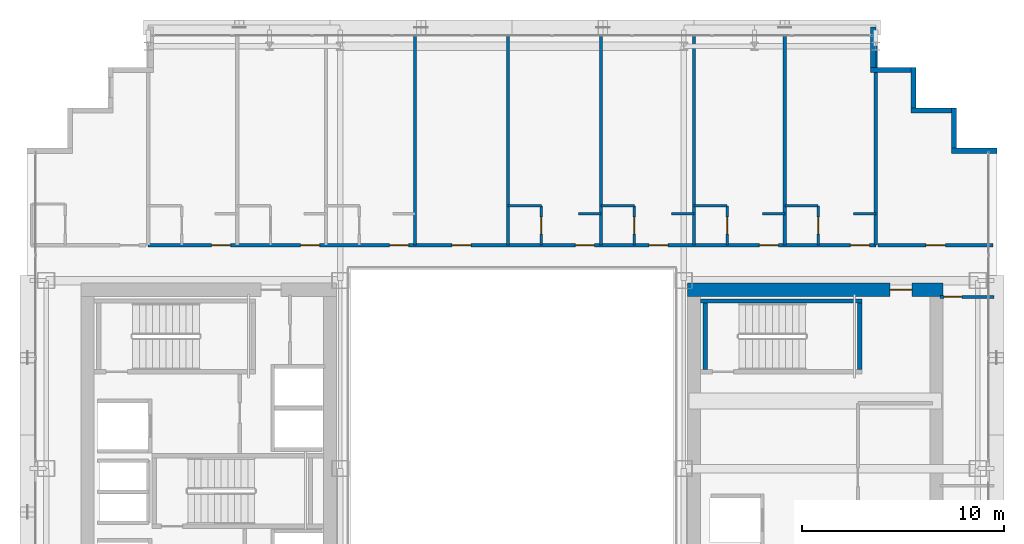
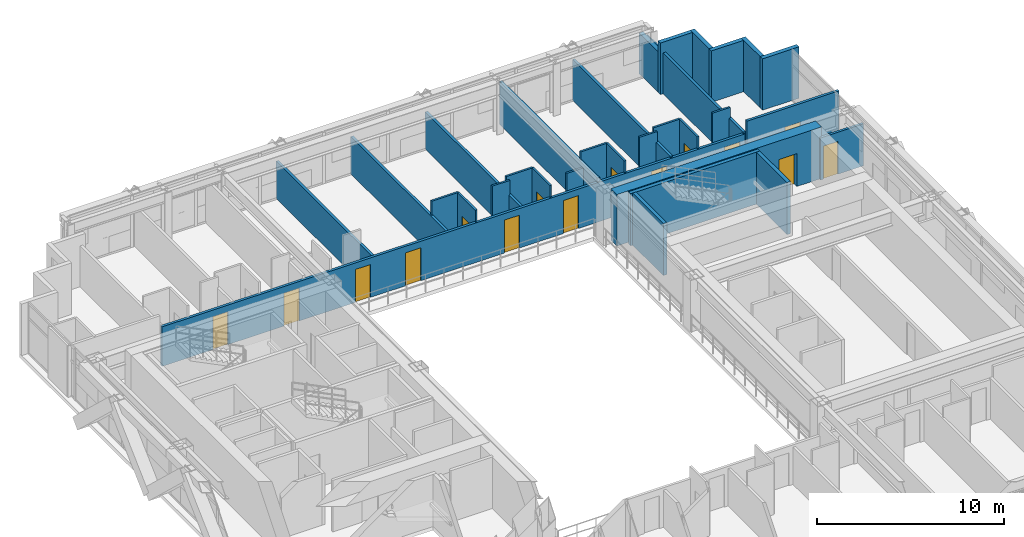
# One storey, part 31 of 36: 31 walls, 15 doors, 15 openings.
"""IFC4 building model written with IfcOpenShell, lengths in metres."""

from ifc_helpers import new_model, si_unit, direction, frame, frame_2d, origin, place, context, subcontext, project, spatial, rectangle, extrude, source, transform, mapped, material, layer, layer_set, type_object, element, fill, save


model = new_model("IFC4")

# Units and contexts
model_context = context("Model", 3, precision=1e-05, world=origin(), true_north=direction((0.0, 1.0)))
body_context = subcontext(model_context, "Body", "Model", "MODEL_VIEW")
ifc_project = project(units=[si_unit("LENGTHUNIT", "METRE"), si_unit("AREAUNIT", "SQUARE_METRE"), si_unit("VOLUMEUNIT", "CUBIC_METRE"), si_unit("PLANEANGLEUNIT", "RADIAN"), si_unit("MASSUNIT", "GRAM", prefix="KILO")], contexts=[model_context])

# Site, building, storey
site_placement = place(None, origin())
site = spatial("IfcSite", under=ifc_project, at=site_placement, CompositionType="ELEMENT")
building_placement = place(site_placement, origin())
building = spatial("IfcBuilding", under=site, at=building_placement, Name="Ocotamira Hotel", CompositionType="ELEMENT")
storey_placement = place(building_placement, frame((0.0, 0.0, 133.199951171875)))
storey = spatial("IfcBuildingStorey", under=building, at=storey_placement, Name="L33", CompositionType="ELEMENT", Elevation=133.199951171875)

# Wall, opening, door
ifc_material_1 = material(Name="Concrete C60/75", Category="concrete")
ifc_layer_1 = layer(ifc_material_1, 0.64990234375)
ifc_layer_set_1 = layer_set([ifc_layer_1], Name="Concrete C60/75")
wall_type_1 = type_object("IfcWallType", Name="WL-CORE-650", PredefinedType="SHEAR", material=ifc_layer_set_1)
wall_1_placement = place(storey_placement, frame((40.675048828125, 37.0, 0.0), z_axis=(0.0, 0.0, 1.0), x_axis=(1.0, 0.0, 0.0)))
wall_1 = element("IfcWall", 1, at=wall_1_placement, inside=storey, type_object=wall_type_1, Name="L33 Shear Core Wall ECORE-N", PredefinedType="SHEAR", context=body_context, shape_type="SweptSolid", body=[
    extrude(rectangle(XDim=12.64990234375, YDim=0.64990234375, at=frame_2d((6.324951171875, 0.0))), origin(), (0.0, 0.0, 1.0), 3.360107421875),
])
opening_1_placement = place(wall_1_placement, frame((10.02490234375, 0.0, 0.0)))
opening_1 = element("IfcOpeningElement", 2, at=opening_1_placement, cuts=wall_1, Name="Opening D-FR1", PredefinedType="OPENING", context=body_context, shape_type="SweptSolid", body=[
    extrude(rectangle(XDim=1.10009765625, YDim=2.14990234375, at=frame_2d((0.550048828125, 1.074951171875))), frame((0.0, 0.3349609375, 0.0), z_axis=(0.0, -1.0, 0.0), x_axis=(1.0, 0.0, 0.0)), (0.0, 0.0, 1.0), 0.669921875),
])
ifc_material_2 = material(Name="Fire-rated acoustic timber-veneer door", Category="wood")
door_type_1 = type_object("IfcDoorType", Name="DR-FIRE-1100", OperationType="NOTDEFINED", PredefinedType="DOOR", material=ifc_material_2)
shared_shape_1 = source(origin(), body_context, "Body", "SweptSolid", [
    extrude(rectangle(XDim=1.10009765625, YDim=2.14990234375, at=frame_2d((0.550048828125, 1.074951171875))), frame((0.0, 0.02490234375, 0.0), z_axis=(0.0, -1.0, 0.0), x_axis=(1.0, 0.0, 0.0)), (0.0, 0.0, 1.0), 0.050048828125),
])
door_1_placement = place(opening_1_placement, origin())
door_1 = element("IfcDoor", 3, at=door_1_placement, inside=storey, type_object=door_type_1, Name="L33 Door ID-L33-ELOB-N-D [ID-L33-ELOB-N-D]", OperationType="SINGLE_SWING_LEFT", OverallHeight=2.14990234375, OverallWidth=1.10009765625, PredefinedType="DOOR", context=body_context, shape_type="MappedRepresentation", body=[
    mapped(shared_shape_1, transform((0.0, 0.0, 0.0), scale=1.0)),
])
fill(opening_1, door_1)

# Walls
ifc_material_3 = material(Name="Precast concrete C45/55", Category="concrete")
ifc_layer_2 = layer(ifc_material_3, 0.25)
ifc_layer_set_2 = layer_set([ifc_layer_2], Name="Precast concrete C45/55")
wall_type_2 = type_object("IfcWallType", Name="WL-EXT-SER-250", PredefinedType="SOLIDWALL", material=ifc_layer_set_2)
wall_2_placement = place(storey_placement, frame((56.0, 43.875, 0.0), z_axis=(0.0, 0.0, 1.0), x_axis=(-1.0, 0.0, 0.0)))
element("IfcWall", 4, at=wall_2_placement, inside=storey, type_object=wall_type_2, Name="L33 Serrated Corner Wall 07", PredefinedType="SOLIDWALL", context=body_context, shape_type="SweptSolid", body=[
    extrude(rectangle(XDim=2.25, YDim=0.25, at=frame_2d((1.125, 0.0))), origin(), (0.0, 0.0, 1.0), 3.360107421875),
])
for number, where, z_axis, x_axis, name in (
    (5, (53.875, 44.0, 0.0), (0.0, 0.0, 1.0), (0.0, 1.0, 0.0), "L33 Serrated Corner Wall 08"),
    (6, (53.75, 45.875, 0.0), (0.0, 0.0, 1.0), (-1.0, 0.0, 0.0), "L33 Serrated Corner Wall 09"),
    (7, (51.875, 46.0, 0.0), (0.0, 0.0, 1.0), (0.0, 1.0, 0.0), "L33 Serrated Corner Wall 10"),
    (8, (51.75, 47.875, 0.0), (0.0, 0.0, 1.0), (-1.0, 0.0, 0.0), "L33 Serrated Corner Wall 11"),
):
    element("IfcWall", number, at=place(storey_placement, frame(where, z_axis=z_axis, x_axis=x_axis)), inside=storey, type_object=wall_type_2, Name=name, PredefinedType="SOLIDWALL", context=body_context, shape_type="SweptSolid", body=[
        extrude(rectangle(XDim=2.0, YDim=0.25, at=frame_2d((1.0, 0.0))), origin(), (0.0, 0.0, 1.0), 3.360107421875),
    ])
wall_3_placement = place(storey_placement, frame((49.875, 48.0, 0.0), z_axis=(0.0, 0.0, 1.0), x_axis=(0.0, 1.0, 0.0)))
element("IfcWall", 9, at=wall_3_placement, inside=storey, type_object=wall_type_2, Name="L33 Serrated Corner Wall 12", PredefinedType="SOLIDWALL", context=body_context, shape_type="SweptSolid", body=[
    extrude(rectangle(XDim=2.0, YDim=0.25, at=frame_2d((1.0, 0.0))), origin(), (0.0, 0.0, 1.0), 2.6669921875),
])

# Wall, opening, door
ifc_material_4 = material(Name="Acoustic double-layer fire gypsum board partition", Category="gypsum")
ifc_layer_3 = layer(ifc_material_4, 0.159912109375)
ifc_layer_set_3 = layer_set([ifc_layer_3], Name="Acoustic double-layer fire gypsum board partition")
wall_type_3 = type_object("IfcWallType", Name="WL-FIRE-160", PredefinedType="PARTITIONING", material=ifc_layer_set_3)
wall_4_placement = place(storey_placement, frame((50.1201171875, 39.199951171875, 0.0), z_axis=(0.0, 0.0, 1.0), x_axis=(1.0, 0.0, 0.0)))
wall_4 = element("IfcWall", 10, at=wall_4_placement, inside=storey, type_object=wall_type_3, Name="L33 Interior Wall PW-L33-Z2D-CNE-CW", PredefinedType="PARTITIONING", context=body_context, shape_type="SweptSolid", body=[
    extrude(rectangle(XDim=5.679931640625, YDim=0.159912109375, at=frame_2d((2.83984375, 0.0))), origin(), (0.0, 0.0, 1.0), 3.360107421875),
])
opening_2_placement = place(wall_4_placement, frame((2.360107421875, 0.0, 0.0)))
opening_2 = element("IfcOpeningElement", 11, at=opening_2_placement, cuts=wall_4, Name="Opening D-SV4", PredefinedType="OPENING", context=body_context, shape_type="SweptSolid", body=[
    extrude(rectangle(XDim=0.9599609375, YDim=2.14990234375, at=frame_2d((0.47998046875, 1.074951171875))), frame((0.0, 0.08984375, 0.0), z_axis=(0.0, -1.0, 0.0), x_axis=(1.0, 0.0, 0.0)), (0.0, 0.0, 1.0), 0.179931640625),
])
ifc_material_5 = material(Name="Fire-rated accessible walnut salon door", Category="wood")
door_type_2 = type_object("IfcDoorType", Name="DR-SERV-960", OperationType="NOTDEFINED", PredefinedType="DOOR", material=ifc_material_5)
shared_shape_2 = source(origin(), body_context, "Body", "SweptSolid", [
    extrude(rectangle(XDim=0.9599609375, YDim=2.14990234375, at=frame_2d((0.47998046875, 1.074951171875))), frame((0.0, 0.02490234375, 0.0), z_axis=(0.0, -1.0, 0.0), x_axis=(1.0, 0.0, 0.0)), (0.0, 0.0, 1.0), 0.050048828125),
])
door_2_placement = place(opening_2_placement, origin())
door_2 = element("IfcDoor", 12, at=door_2_placement, inside=storey, type_object=door_type_2, Name="L33 Door ID-L33-Z2D-CNE-CD [ID-L33-Z2D-CNE-CD]", OperationType="SINGLE_SWING_LEFT", OverallHeight=2.14990234375, OverallWidth=0.9599609375, PredefinedType="DOOR", context=body_context, shape_type="MappedRepresentation", body=[
    mapped(shared_shape_2, transform((0.0, 0.0, 0.0), scale=1.0)),
])
fill(opening_2, door_2)

# Wall, openings, doors
wall_5_placement = place(storey_placement, frame((14.0, 39.199951171875, 0.0), z_axis=(0.0, 0.0, 1.0), x_axis=(1.0, 0.0, 0.0)))
wall_5 = element("IfcWall", 13, at=wall_5_placement, inside=storey, type_object=wall_type_3, Name="L33 Interior Wall PW-L33-Z2DN-CORRW", PredefinedType="PARTITIONING", context=body_context, shape_type="SweptSolid", body=[
    extrude(rectangle(XDim=36.0, YDim=0.159912109375, at=frame_2d((18.0, 0.0))), origin(), (0.0, 0.0, 1.0), 2.5810546875),
])
opening_3_placement = place(wall_5_placement, frame((3.139892578125, 0.0, 0.0)))
opening_3 = element("IfcOpeningElement", 14, at=opening_3_placement, cuts=wall_5, Name="Opening D-GR1", PredefinedType="OPENING", context=body_context, shape_type="SweptSolid", body=[
    extrude(rectangle(XDim=0.93994140625, YDim=2.14990234375, at=frame_2d((0.469970703125, 1.074951171875))), frame((0.0, 0.08984375, 0.0), z_axis=(0.0, -1.0, 0.0), x_axis=(1.0, 0.0, 0.0)), (0.0, 0.0, 1.0), 0.179931640625),
])
opening_4_placement = place(wall_5_placement, frame((7.5400390625, 0.0, 0.0)))
opening_4 = element("IfcOpeningElement", 15, at=opening_4_placement, cuts=wall_5, Name="Opening D-GR1", PredefinedType="OPENING", context=body_context, shape_type="SweptSolid", body=[
    extrude(rectangle(XDim=0.93994140625, YDim=2.14990234375, at=frame_2d((0.469970703125, 1.074951171875))), frame((0.0, 0.08984375, 0.0), z_axis=(0.0, -1.0, 0.0), x_axis=(1.0, 0.0, 0.0)), (0.0, 0.0, 1.0), 0.179931640625),
])
opening_5_placement = place(wall_5_placement, frame((11.93994140625, 0.0, 0.0)))
opening_5 = element("IfcOpeningElement", 16, at=opening_5_placement, cuts=wall_5, Name="Opening D-GR1", PredefinedType="OPENING", context=body_context, shape_type="SweptSolid", body=[
    extrude(rectangle(XDim=0.93994140625, YDim=2.14990234375, at=frame_2d((0.469970703125, 1.074951171875))), frame((0.0, 0.08984375, 0.0), z_axis=(0.0, -1.0, 0.0), x_axis=(1.0, 0.0, 0.0)), (0.0, 0.0, 1.0), 0.179931640625),
])
opening_6_placement = place(wall_5_placement, frame((15.02001953125, 0.0, 0.0)))
opening_6 = element("IfcOpeningElement", 17, at=opening_6_placement, cuts=wall_5, Name="Opening D-SV4", PredefinedType="OPENING", context=body_context, shape_type="SweptSolid", body=[
    extrude(rectangle(XDim=0.9599609375, YDim=2.14990234375, at=frame_2d((0.47998046875, 1.074951171875))), frame((0.0, 0.08984375, 0.0), z_axis=(0.0, -1.0, 0.0), x_axis=(1.0, 0.0, 0.0)), (0.0, 0.0, 1.0), 0.179931640625),
])
opening_7_placement = place(wall_5_placement, frame((21.139892578125, 0.0, 0.0)))
opening_7 = element("IfcOpeningElement", 18, at=opening_7_placement, cuts=wall_5, Name="Opening D-GR1", PredefinedType="OPENING", context=body_context, shape_type="SweptSolid", body=[
    extrude(rectangle(XDim=0.93994140625, YDim=2.14990234375, at=frame_2d((0.469970703125, 1.074951171875))), frame((0.0, 0.08984375, 0.0), z_axis=(0.0, -1.0, 0.0), x_axis=(1.0, 0.0, 0.0)), (0.0, 0.0, 1.0), 0.179931640625),
])
opening_8_placement = place(wall_5_placement, frame((24.7900390625, 0.0, 0.0)))
opening_8 = element("IfcOpeningElement", 19, at=opening_8_placement, cuts=wall_5, Name="Opening D-GR1", PredefinedType="OPENING", context=body_context, shape_type="SweptSolid", body=[
    extrude(rectangle(XDim=0.93994140625, YDim=2.14990234375, at=frame_2d((0.469970703125, 1.074951171875))), frame((0.0, 0.08984375, 0.0), z_axis=(0.0, -1.0, 0.0), x_axis=(1.0, 0.0, 0.0)), (0.0, 0.0, 1.0), 0.179931640625),
])
opening_9_placement = place(wall_5_placement, frame((30.239990234375, 0.0, 0.0)))
opening_9 = element("IfcOpeningElement", 20, at=opening_9_placement, cuts=wall_5, Name="Opening D-GR1", PredefinedType="OPENING", context=body_context, shape_type="SweptSolid", body=[
    extrude(rectangle(XDim=0.93994140625, YDim=2.14990234375, at=frame_2d((0.469970703125, 1.074951171875))), frame((0.0, 0.08984375, 0.0), z_axis=(0.0, -1.0, 0.0), x_axis=(1.0, 0.0, 0.0)), (0.0, 0.0, 1.0), 0.179931640625),
])
opening_10_placement = place(wall_5_placement, frame((34.739990234375, 0.0, 0.0)))
opening_10 = element("IfcOpeningElement", 21, at=opening_10_placement, cuts=wall_5, Name="Opening D-GR1", PredefinedType="OPENING", context=body_context, shape_type="SweptSolid", body=[
    extrude(rectangle(XDim=0.93994140625, YDim=2.14990234375, at=frame_2d((0.469970703125, 1.074951171875))), frame((0.0, 0.08984375, 0.0), z_axis=(0.0, -1.0, 0.0), x_axis=(1.0, 0.0, 0.0)), (0.0, 0.0, 1.0), 0.179931640625),
])
door_3_placement = place(opening_6_placement, origin())
door_3 = element("IfcDoor", 22, at=door_3_placement, inside=storey, type_object=door_type_2, Name="L33 Door ID-L33-Z2DN-AMD4 [ID-L33-Z2DN-AMD4]", OperationType="SINGLE_SWING_RIGHT", OverallHeight=2.14990234375, OverallWidth=0.9599609375, PredefinedType="DOOR", context=body_context, shape_type="MappedRepresentation", body=[
    mapped(shared_shape_2, transform((0.0, 0.0, 0.0), scale=1.0)),
])
fill(opening_6, door_3)
ifc_material_6 = material(Name="Solid-core walnut suite entrance fire door", Category="wood")
door_type_3 = type_object("IfcDoorType", Name="DR-GUEST-940", OperationType="NOTDEFINED", PredefinedType="DOOR", material=ifc_material_6)
shared_shape_3 = source(origin(), body_context, "Body", "SweptSolid", [
    extrude(rectangle(XDim=0.93994140625, YDim=2.14990234375, at=frame_2d((0.469970703125, 1.074951171875))), frame((0.0, 0.02490234375, 0.0), z_axis=(0.0, -1.0, 0.0), x_axis=(1.0, 0.0, 0.0)), (0.0, 0.0, 1.0), 0.050048828125),
])
door_4_placement = place(opening_3_placement, origin())
door_4 = element("IfcDoor", 23, at=door_4_placement, inside=storey, type_object=door_type_3, Name="L33 Door ID-L33-Z2DN-RMD1 [ID-L33-Z2DN-RMD1]", OperationType="SINGLE_SWING_LEFT", OverallHeight=2.14990234375, OverallWidth=0.93994140625, PredefinedType="DOOR", context=body_context, shape_type="MappedRepresentation", body=[
    mapped(shared_shape_3, transform((0.0, 0.0, 0.0), scale=1.0)),
])
fill(opening_3, door_4)
door_5_placement = place(opening_4_placement, origin())
door_5 = element("IfcDoor", 24, at=door_5_placement, inside=storey, type_object=door_type_3, Name="L33 Door ID-L33-Z2DN-RMD2 [ID-L33-Z2DN-RMD2]", OperationType="SINGLE_SWING_RIGHT", OverallHeight=2.14990234375, OverallWidth=0.93994140625, PredefinedType="DOOR", context=body_context, shape_type="MappedRepresentation", body=[
    mapped(shared_shape_3, transform((0.0, 0.0, 0.0), scale=1.0)),
])
fill(opening_4, door_5)
door_6_placement = place(opening_5_placement, origin())
door_6 = element("IfcDoor", 25, at=door_6_placement, inside=storey, type_object=door_type_3, Name="L33 Door ID-L33-Z2DN-RMD3 [ID-L33-Z2DN-RMD3]", OperationType="SINGLE_SWING_LEFT", OverallHeight=2.14990234375, OverallWidth=0.93994140625, PredefinedType="DOOR", context=body_context, shape_type="MappedRepresentation", body=[
    mapped(shared_shape_3, transform((0.0, 0.0, 0.0), scale=1.0)),
])
fill(opening_5, door_6)
door_7_placement = place(opening_7_placement, origin())
door_7 = element("IfcDoor", 26, at=door_7_placement, inside=storey, type_object=door_type_3, Name="L33 Door ID-L33-Z2DN-RMD5 [ID-L33-Z2DN-RMD5]", OperationType="SINGLE_SWING_LEFT", OverallHeight=2.14990234375, OverallWidth=0.93994140625, PredefinedType="DOOR", context=body_context, shape_type="MappedRepresentation", body=[
    mapped(shared_shape_3, transform((0.0, 0.0, 0.0), scale=1.0)),
])
fill(opening_7, door_7)
door_8_placement = place(opening_8_placement, origin())
door_8 = element("IfcDoor", 27, at=door_8_placement, inside=storey, type_object=door_type_3, Name="L33 Door ID-L33-Z2DN-RMD6 [ID-L33-Z2DN-RMD6]", OperationType="SINGLE_SWING_RIGHT", OverallHeight=2.14990234375, OverallWidth=0.93994140625, PredefinedType="DOOR", context=body_context, shape_type="MappedRepresentation", body=[
    mapped(shared_shape_3, transform((0.0, 0.0, 0.0), scale=1.0)),
])
fill(opening_8, door_8)
door_9_placement = place(opening_9_placement, origin())
door_9 = element("IfcDoor", 28, at=door_9_placement, inside=storey, type_object=door_type_3, Name="L33 Door ID-L33-Z2DN-RMD7 [ID-L33-Z2DN-RMD7]", OperationType="SINGLE_SWING_LEFT", OverallHeight=2.14990234375, OverallWidth=0.93994140625, PredefinedType="DOOR", context=body_context, shape_type="MappedRepresentation", body=[
    mapped(shared_shape_3, transform((0.0, 0.0, 0.0), scale=1.0)),
])
fill(opening_9, door_9)
door_10_placement = place(opening_10_placement, origin())
door_10 = element("IfcDoor", 29, at=door_10_placement, inside=storey, type_object=door_type_3, Name="L33 Door ID-L33-Z2DN-RMD8 [ID-L33-Z2DN-RMD8]", OperationType="SINGLE_SWING_RIGHT", OverallHeight=2.14990234375, OverallWidth=0.93994140625, PredefinedType="DOOR", context=body_context, shape_type="MappedRepresentation", body=[
    mapped(shared_shape_3, transform((0.0, 0.0, 0.0), scale=1.0)),
])
fill(opening_10, door_10)

# Wall, opening, door
ifc_material_7 = material(Name="Moisture-resistant en-suite tile and gypsum partition", Category="gypsum")
ifc_layer_4 = layer(ifc_material_7, 0.1201171875)
ifc_layer_set_4 = layer_set([ifc_layer_4], Name="Moisture-resistant en-suite tile and gypsum partition")
wall_type_4 = type_object("IfcWallType", Name="WL-PART-120", PredefinedType="PARTITIONING", material=ifc_layer_set_4)
wall_6_placement = place(storey_placement, frame((33.449951171875, 39.199951171875, 0.0), z_axis=(0.0, 0.0, 1.0), x_axis=(0.0, 1.0, 0.0)))
wall_6 = element("IfcWall", 30, at=wall_6_placement, inside=storey, type_object=wall_type_4, Name="L33 Interior Wall PW-L33-Z2DN-BAE5", PredefinedType="PARTITIONING", context=body_context, shape_type="SweptSolid", body=[
    extrude(rectangle(XDim=1.949951171875, YDim=0.1201171875, at=frame_2d((0.97509765625, 0.0))), origin(), (0.0, 0.0, 1.0), 3.360107421875),
])
opening_11_placement = place(wall_6_placement, frame((0.544921875, 0.0, 0.0)))
opening_11 = element("IfcOpeningElement", 31, at=opening_11_placement, cuts=wall_6, Name="Opening D-BA1", PredefinedType="OPENING", context=body_context, shape_type="SweptSolid", body=[
    extrude(rectangle(XDim=0.860107421875, YDim=2.10009765625, at=frame_2d((0.43017578125, 1.050048828125))), frame((0.0, 0.070068359375, 0.0), z_axis=(0.0, -1.0, 0.0), x_axis=(1.0, 0.0, 0.0)), (0.0, 0.0, 1.0), 0.14013671875),
])
ifc_material_8 = material(Name="Moisture-sealed en-suite timber door", Category="wood")
door_type_4 = type_object("IfcDoorType", Name="DR-BATH-860", OperationType="NOTDEFINED", PredefinedType="DOOR", material=ifc_material_8)
shared_shape_4 = source(origin(), body_context, "Body", "SweptSolid", [
    extrude(rectangle(XDim=0.860107421875, YDim=2.10009765625, at=frame_2d((0.43017578125, 1.050048828125))), frame((0.0, 0.02490234375, 0.0), z_axis=(0.0, -1.0, 0.0), x_axis=(1.0, 0.0, 0.0)), (0.0, 0.0, 1.0), 0.050048828125),
])
door_11_placement = place(opening_11_placement, origin())
door_11 = element("IfcDoor", 32, at=door_11_placement, inside=storey, type_object=door_type_4, Name="L33 Door ID-L33-Z2DN-BAD5 [ID-L33-Z2DN-BAD5]", OperationType="SINGLE_SWING_RIGHT", OverallHeight=2.10009765625, OverallWidth=0.860107421875, PredefinedType="DOOR", context=body_context, shape_type="MappedRepresentation", body=[
    mapped(shared_shape_4, transform((0.0, 0.0, 0.0), scale=1.0)),
])
fill(opening_11, door_11)

# Walls
wall_7_placement = place(storey_placement, frame((31.800048828125, 41.14990234375, 0.0), z_axis=(0.0, 0.0, 1.0), x_axis=(1.0, 0.0, 0.0)))
element("IfcWall", 33, at=wall_7_placement, inside=storey, type_object=wall_type_4, Name="L33 Interior Wall PW-L33-Z2DN-BAN5", PredefinedType="PARTITIONING", context=body_context, shape_type="SweptSolid", body=[
    extrude(rectangle(XDim=1.64990234375, YDim=0.1201171875, at=frame_2d((0.824951171875, 0.0))), origin(), (0.0, 0.0, 1.0), 3.360107421875),
])
wall_8_placement = place(storey_placement, frame((35.300048828125, 40.75, 0.0), z_axis=(0.0, 0.0, 1.0), x_axis=(1.0, 0.0, 0.0)))
element("IfcWall", 34, at=wall_8_placement, inside=storey, type_object=wall_type_4, Name="L33 Interior Wall PW-L33-Z2DN-DRN5", PredefinedType="PARTITIONING", context=body_context, shape_type="SweptSolid", body=[
    extrude(rectangle(XDim=1.099853515625, YDim=0.1201171875, at=frame_2d((0.5498046875, 0.0))), origin(), (0.0, 0.0, 1.0), 3.360107421875),
])

# Wall, opening, door
wall_9_placement = place(storey_placement, frame((38.050048828125, 39.199951171875, 0.0), z_axis=(0.0, 0.0, 1.0), x_axis=(0.0, 1.0, 0.0)))
wall_9 = element("IfcWall", 35, at=wall_9_placement, inside=storey, type_object=wall_type_4, Name="L33 Interior Wall PW-L33-Z2DN-BAE6", PredefinedType="PARTITIONING", context=body_context, shape_type="SweptSolid", body=[
    extrude(rectangle(XDim=1.949951171875, YDim=0.1201171875, at=frame_2d((0.97509765625, 0.0))), origin(), (0.0, 0.0, 1.0), 3.360107421875),
])
opening_12_placement = place(wall_9_placement, frame((0.544921875, 0.0, 0.0)))
opening_12 = element("IfcOpeningElement", 36, at=opening_12_placement, cuts=wall_9, Name="Opening D-BA1", PredefinedType="OPENING", context=body_context, shape_type="SweptSolid", body=[
    extrude(rectangle(XDim=0.860107421875, YDim=2.10009765625, at=frame_2d((0.43017578125, 1.050048828125))), frame((0.0, 0.070068359375, 0.0), z_axis=(0.0, -1.0, 0.0), x_axis=(1.0, 0.0, 0.0)), (0.0, 0.0, 1.0), 0.14013671875),
])
door_12_placement = place(opening_12_placement, origin())
door_12 = element("IfcDoor", 37, at=door_12_placement, inside=storey, type_object=door_type_4, Name="L33 Door ID-L33-Z2DN-BAD6 [ID-L33-Z2DN-BAD6]", OperationType="SINGLE_SWING_LEFT", OverallHeight=2.10009765625, OverallWidth=0.860107421875, PredefinedType="DOOR", context=body_context, shape_type="MappedRepresentation", body=[
    mapped(shared_shape_4, transform((0.0, 0.0, 0.0), scale=1.0)),
])
fill(opening_12, door_12)

# Walls
wall_10_placement = place(storey_placement, frame((36.39990234375, 41.14990234375, 0.0), z_axis=(0.0, 0.0, 1.0), x_axis=(1.0, 0.0, 0.0)))
element("IfcWall", 38, at=wall_10_placement, inside=storey, type_object=wall_type_4, Name="L33 Interior Wall PW-L33-Z2DN-BAN6", PredefinedType="PARTITIONING", context=body_context, shape_type="SweptSolid", body=[
    extrude(rectangle(XDim=1.650146484375, YDim=0.1201171875, at=frame_2d((0.8251953125, 0.0))), origin(), (0.0, 0.0, 1.0), 3.360107421875),
])
wall_11_placement = place(storey_placement, frame((39.89990234375, 40.75, 0.0), z_axis=(0.0, 0.0, 1.0), x_axis=(1.0, 0.0, 0.0)))
element("IfcWall", 39, at=wall_11_placement, inside=storey, type_object=wall_type_4, Name="L33 Interior Wall PW-L33-Z2DN-DRN6", PredefinedType="PARTITIONING", context=body_context, shape_type="SweptSolid", body=[
    extrude(rectangle(XDim=1.10009765625, YDim=0.1201171875, at=frame_2d((0.550048828125, 0.0))), origin(), (0.0, 0.0, 1.0), 2.5810546875),
])

# Wall, opening, door
wall_12_placement = place(storey_placement, frame((42.64990234375, 39.199951171875, 0.0), z_axis=(0.0, 0.0, 1.0), x_axis=(0.0, 1.0, 0.0)))
wall_12 = element("IfcWall", 40, at=wall_12_placement, inside=storey, type_object=wall_type_4, Name="L33 Interior Wall PW-L33-Z2DN-BAE7", PredefinedType="PARTITIONING", context=body_context, shape_type="SweptSolid", body=[
    extrude(rectangle(XDim=1.949951171875, YDim=0.1201171875, at=frame_2d((0.97509765625, 0.0))), origin(), (0.0, 0.0, 1.0), 3.360107421875),
])
opening_13_placement = place(wall_12_placement, frame((0.544921875, 0.0, 0.0)))
opening_13 = element("IfcOpeningElement", 41, at=opening_13_placement, cuts=wall_12, Name="Opening D-BA1", PredefinedType="OPENING", context=body_context, shape_type="SweptSolid", body=[
    extrude(rectangle(XDim=0.860107421875, YDim=2.10009765625, at=frame_2d((0.43017578125, 1.050048828125))), frame((0.0, 0.070068359375, 0.0), z_axis=(0.0, -1.0, 0.0), x_axis=(1.0, 0.0, 0.0)), (0.0, 0.0, 1.0), 0.14013671875),
])
door_13_placement = place(opening_13_placement, origin())
door_13 = element("IfcDoor", 42, at=door_13_placement, inside=storey, type_object=door_type_4, Name="L33 Door ID-L33-Z2DN-BAD7 [ID-L33-Z2DN-BAD7]", OperationType="SINGLE_SWING_RIGHT", OverallHeight=2.10009765625, OverallWidth=0.860107421875, PredefinedType="DOOR", context=body_context, shape_type="MappedRepresentation", body=[
    mapped(shared_shape_4, transform((0.0, 0.0, 0.0), scale=1.0)),
])
fill(opening_13, door_13)

# Walls
wall_13_placement = place(storey_placement, frame((41.0, 41.14990234375, 0.0), z_axis=(0.0, 0.0, 1.0), x_axis=(1.0, 0.0, 0.0)))
element("IfcWall", 43, at=wall_13_placement, inside=storey, type_object=wall_type_4, Name="L33 Interior Wall PW-L33-Z2DN-BAN7", PredefinedType="PARTITIONING", context=body_context, shape_type="SweptSolid", body=[
    extrude(rectangle(XDim=1.64990234375, YDim=0.1201171875, at=frame_2d((0.824951171875, 0.0))), origin(), (0.0, 0.0, 1.0), 3.360107421875),
])
wall_14_placement = place(storey_placement, frame((44.39990234375, 40.75, 0.0), z_axis=(0.0, 0.0, 1.0), x_axis=(1.0, 0.0, 0.0)))
element("IfcWall", 44, at=wall_14_placement, inside=storey, type_object=wall_type_4, Name="L33 Interior Wall PW-L33-Z2DN-DRN7", PredefinedType="PARTITIONING", context=body_context, shape_type="SweptSolid", body=[
    extrude(rectangle(XDim=1.10009765625, YDim=0.1201171875, at=frame_2d((0.550048828125, 0.0))), origin(), (0.0, 0.0, 1.0), 3.360107421875),
])

# Wall, opening, door
wall_15_placement = place(storey_placement, frame((47.14990234375, 39.199951171875, 0.0), z_axis=(0.0, 0.0, 1.0), x_axis=(0.0, 1.0, 0.0)))
wall_15 = element("IfcWall", 45, at=wall_15_placement, inside=storey, type_object=wall_type_4, Name="L33 Interior Wall PW-L33-Z2DN-BAE8", PredefinedType="PARTITIONING", context=body_context, shape_type="SweptSolid", body=[
    extrude(rectangle(XDim=1.949951171875, YDim=0.1201171875, at=frame_2d((0.97509765625, 0.0))), origin(), (0.0, 0.0, 1.0), 3.360107421875),
])
opening_14_placement = place(wall_15_placement, frame((0.544921875, 0.0, 0.0)))
opening_14 = element("IfcOpeningElement", 46, at=opening_14_placement, cuts=wall_15, Name="Opening D-BA1", PredefinedType="OPENING", context=body_context, shape_type="SweptSolid", body=[
    extrude(rectangle(XDim=0.860107421875, YDim=2.10009765625, at=frame_2d((0.43017578125, 1.050048828125))), frame((0.0, 0.070068359375, 0.0), z_axis=(0.0, -1.0, 0.0), x_axis=(1.0, 0.0, 0.0)), (0.0, 0.0, 1.0), 0.14013671875),
])
door_14_placement = place(opening_14_placement, origin())
door_14 = element("IfcDoor", 47, at=door_14_placement, inside=storey, type_object=door_type_4, Name="L33 Door ID-L33-Z2DN-BAD8 [ID-L33-Z2DN-BAD8]", OperationType="SINGLE_SWING_LEFT", OverallHeight=2.10009765625, OverallWidth=0.860107421875, PredefinedType="DOOR", context=body_context, shape_type="MappedRepresentation", body=[
    mapped(shared_shape_4, transform((0.0, 0.0, 0.0), scale=1.0)),
])
fill(opening_14, door_14)

# Walls
wall_16_placement = place(storey_placement, frame((45.5, 41.14990234375, 0.0), z_axis=(0.0, 0.0, 1.0), x_axis=(1.0, 0.0, 0.0)))
element("IfcWall", 48, at=wall_16_placement, inside=storey, type_object=wall_type_4, Name="L33 Interior Wall PW-L33-Z2DN-BAN8", PredefinedType="PARTITIONING", context=body_context, shape_type="SweptSolid", body=[
    extrude(rectangle(XDim=1.64990234375, YDim=0.1201171875, at=frame_2d((0.824951171875, 0.0))), origin(), (0.0, 0.0, 1.0), 3.360107421875),
])
wall_17_placement = place(storey_placement, frame((48.89990234375, 40.75, 0.0), z_axis=(0.0, 0.0, 1.0), x_axis=(1.0, 0.0, 0.0)))
element("IfcWall", 49, at=wall_17_placement, inside=storey, type_object=wall_type_4, Name="L33 Interior Wall PW-L33-Z2DN-DRN8", PredefinedType="PARTITIONING", context=body_context, shape_type="SweptSolid", body=[
    extrude(rectangle(XDim=1.10009765625, YDim=0.1201171875, at=frame_2d((0.550048828125, 0.0))), origin(), (0.0, 0.0, 1.0), 3.360107421875),
])

# Wall, opening, door
ifc_material_9 = material(Name="Acoustic hospitality gypsum board partition", Category="gypsum")
ifc_layer_5 = layer(ifc_material_9, 0.14990234375)
ifc_layer_set_5 = layer_set([ifc_layer_5], Name="Acoustic hospitality gypsum board partition")
wall_type_5 = type_object("IfcWallType", Name="WL-PART-150", PredefinedType="PARTITIONING", material=ifc_layer_set_5)
wall_18_placement = place(storey_placement, frame((53.179931640625, 36.639892578125, 0.0), z_axis=(0.0, 0.0, 1.0), x_axis=(1.0, 0.0, 0.0)))
wall_18 = element("IfcWall", 50, at=wall_18_placement, inside=storey, type_object=wall_type_5, Name="L33 Interior Wall PW-L33-Z2D-EF-WN", PredefinedType="PARTITIONING", context=body_context, shape_type="SweptSolid", body=[
    extrude(rectangle(XDim=2.66015625, YDim=0.14990234375, at=frame_2d((1.330078125, 0.0))), origin(), (0.0, 0.0, 1.0), 2.7431640625),
])
opening_15_placement = place(wall_18_placement, frame((0.199951171875, 0.0, 0.0)))
opening_15 = element("IfcOpeningElement", 51, at=opening_15_placement, cuts=wall_18, Name="Opening D-SV2", PredefinedType="OPENING", context=body_context, shape_type="SweptSolid", body=[
    extrude(rectangle(XDim=0.8798828125, YDim=2.14990234375, at=frame_2d((0.43994140625, 1.074951171875))), frame((0.0, 0.0849609375, 0.0), z_axis=(0.0, -1.0, 0.0), x_axis=(1.0, 0.0, 0.0)), (0.0, 0.0, 1.0), 0.169921875),
])
ifc_material_10 = material(Name="Fire-rated painted steel service door", Category="steel")
door_type_5 = type_object("IfcDoorType", Name="DR-SERV-880", OperationType="NOTDEFINED", PredefinedType="DOOR", material=ifc_material_10)
shared_shape_5 = source(origin(), body_context, "Body", "SweptSolid", [
    extrude(rectangle(XDim=0.8798828125, YDim=2.14990234375, at=frame_2d((0.43994140625, 1.074951171875))), frame((0.0, 0.02490234375, 0.0), z_axis=(0.0, -1.0, 0.0), x_axis=(1.0, 0.0, 0.0)), (0.0, 0.0, 1.0), 0.050048828125),
])
door_15_placement = place(opening_15_placement, origin())
door_15 = element("IfcDoor", 52, at=door_15_placement, inside=storey, type_object=door_type_5, Name="L33 Door ID-L33-Z2D-EF-DN [ID-L33-Z2D-EF-DN]", OperationType="SINGLE_SWING_LEFT", OverallHeight=2.14990234375, OverallWidth=0.8798828125, PredefinedType="DOOR", context=body_context, shape_type="MappedRepresentation", body=[
    mapped(shared_shape_5, transform((0.0, 0.0, 0.0), scale=1.0)),
])
fill(opening_15, door_15)

# Walls
ifc_material_11 = material(Name="Acoustic double-stud hospitality gypsum partition", Category="gypsum")
ifc_layer_6 = layer(ifc_material_11, 0.159912109375)
ifc_layer_set_6 = layer_set([ifc_layer_6], Name="Acoustic double-stud hospitality gypsum partition")
wall_type_6 = type_object("IfcWallType", Name="WL-PART-160", PredefinedType="PARTITIONING", material=ifc_layer_set_6)
wall_19_placement = place(storey_placement, frame((50.0, 39.199951171875, 0.0), z_axis=(0.0, 0.0, 1.0), x_axis=(0.0, 1.0, 0.0)))
element("IfcWall", 53, at=wall_19_placement, inside=storey, type_object=wall_type_6, Name="L33 Interior Wall PW-L33-Z2DN-PWEND", PredefinedType="PARTITIONING", context=body_context, shape_type="SweptSolid", body=[
    extrude(rectangle(XDim=10.43994140625, YDim=0.159912109375, at=frame_2d((5.219970703125, 0.0))), origin(), (0.0, 0.0, 1.0), 2.6669921875),
])
for number, where, z_axis, x_axis, name in (
    (54, (27.199951171875, 39.199951171875, 0.0), (0.0, 0.0, 1.0), (0.0, 1.0, 0.0), "L33 Interior Wall PW-L33-Z2DN-PW3"),
    (55, (31.800048828125, 39.199951171875, 0.0), (0.0, 0.0, 1.0), (0.0, 1.0, 0.0), "L33 Interior Wall PW-L33-Z2DN-PW4"),
    (56, (36.39990234375, 39.199951171875, 0.0), (0.0, 0.0, 1.0), (0.0, 1.0, 0.0), "L33 Interior Wall PW-L33-Z2DN-PW5"),
):
    element("IfcWall", number, at=place(storey_placement, frame(where, z_axis=z_axis, x_axis=x_axis)), inside=storey, type_object=wall_type_6, Name=name, PredefinedType="PARTITIONING", context=body_context, shape_type="SweptSolid", body=[
        extrude(rectangle(XDim=10.43994140625, YDim=0.159912109375, at=frame_2d((5.219970703125, 0.0))), origin(), (0.0, 0.0, 1.0), 2.43310546875),
    ])
wall_20_placement = place(storey_placement, frame((41.0, 39.199951171875, 0.0), z_axis=(0.0, 0.0, 1.0), x_axis=(0.0, 1.0, 0.0)))
element("IfcWall", 57, at=wall_20_placement, inside=storey, type_object=wall_type_6, Name="L33 Interior Wall PW-L33-Z2DN-PW6", PredefinedType="PARTITIONING", context=body_context, shape_type="SweptSolid", body=[
    extrude(rectangle(XDim=10.43994140625, YDim=0.159912109375, at=frame_2d((5.219970703125, 0.0))), origin(), (0.0, 0.0, 1.0), 2.822998046875),
])
wall_21_placement = place(storey_placement, frame((45.5, 39.199951171875, 0.0), z_axis=(0.0, 0.0, 1.0), x_axis=(0.0, 1.0, 0.0)))
element("IfcWall", 58, at=wall_21_placement, inside=storey, type_object=wall_type_6, Name="L33 Interior Wall PW-L33-Z2DN-PW7", PredefinedType="PARTITIONING", context=body_context, shape_type="SweptSolid", body=[
    extrude(rectangle(XDim=10.43994140625, YDim=0.159912109375, at=frame_2d((5.219970703125, 0.0))), origin(), (0.0, 0.0, 1.0), 2.6669921875),
])
ifc_material_12 = material(Name="Concrete C50/60", Category="concrete")
ifc_layer_7 = layer(ifc_material_12, 0.219970703125)
ifc_layer_set_7 = layer_set([ifc_layer_7], Name="Concrete C50/60")
wall_type_7 = type_object("IfcWallType", Name="WL-STAIR-220", PredefinedType="SHEAR", material=ifc_layer_set_7)
wall_22_placement = place(storey_placement, frame((41.324951171875, 36.43994140625, 0.0), z_axis=(0.0, 0.0, 1.0), x_axis=(1.0, 0.0, 0.0)))
element("IfcWall", 59, at=wall_22_placement, inside=storey, type_object=wall_type_7, Name="L33 Stair Shaft Structural Wall ST-4-N", PredefinedType="SHEAR", context=body_context, shape_type="SweptSolid", body=[
    extrude(rectangle(XDim=7.985107421875, YDim=0.219970703125, at=frame_2d((3.99267578125, 0.0))), origin(), (0.0, 0.0, 1.0), 3.400146484375),
])
for number, where, z_axis, x_axis, name in (
    (60, (41.56005859375, 33.050048828125, 0.0), (0.0, 0.0, 1.0), (0.0, 1.0, 0.0), "L33 Stair Shaft Structural Wall ST-4-W"),
    (61, (49.199951171875, 33.050048828125, 0.0), (0.0, 0.0, 1.0), (0.0, 1.0, 0.0), "L33 Stair Shaft Structural Wall ST-4-E"),
):
    element("IfcWall", number, at=place(storey_placement, frame(where, z_axis=z_axis, x_axis=x_axis)), inside=storey, type_object=wall_type_7, Name=name, PredefinedType="SHEAR", context=body_context, shape_type="SweptSolid", body=[
        extrude(rectangle(XDim=3.280029296875, YDim=0.219970703125, at=frame_2d((1.64013671875, 0.0))), origin(), (0.0, 0.0, 1.0), 3.400146484375),
    ])

save(model, "model.ifc")
